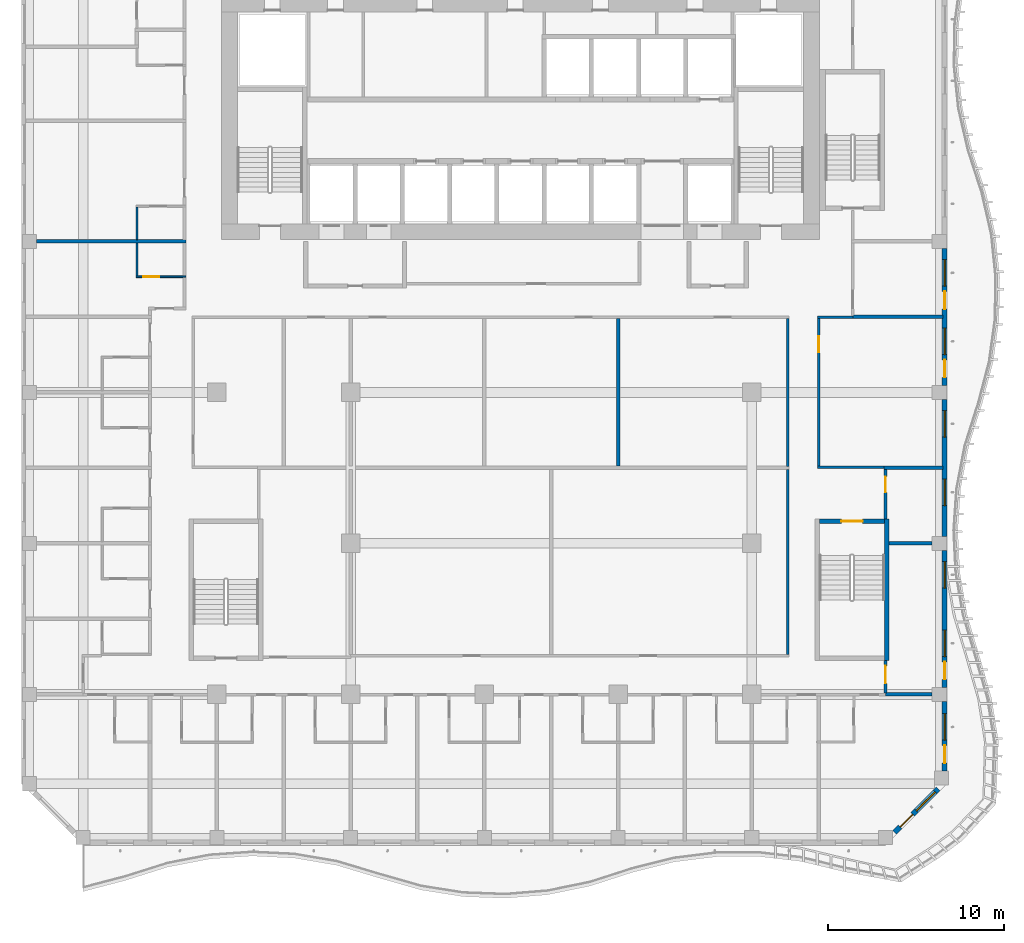
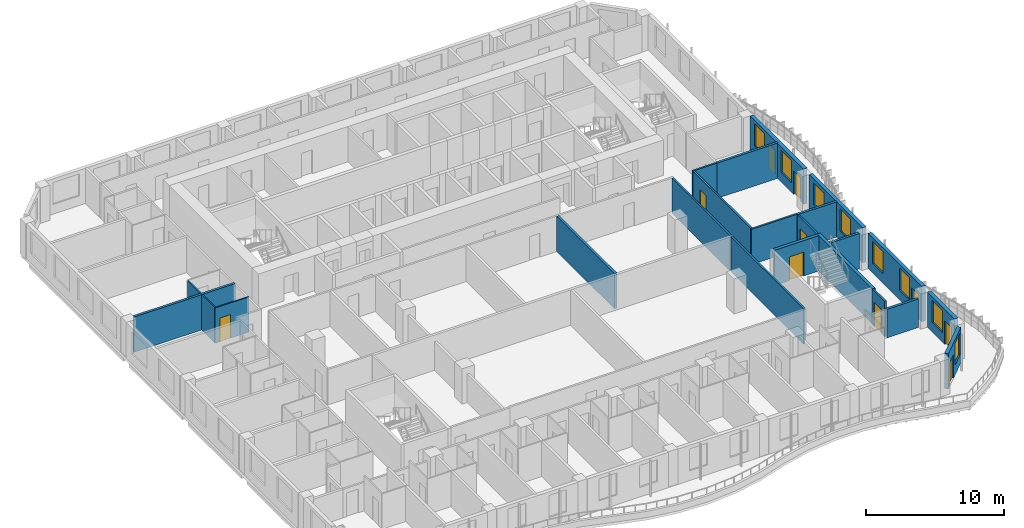
# One storey, part 6 of 24: 23 walls, 10 doors, 8 windows, 18 openings.
"""IFC4 building model written with IfcOpenShell, lengths in metres."""

from ifc_helpers import new_model, si_unit, direction, frame, frame_2d, origin, place, context, subcontext, project, spatial, rectangle, extrude, source, transform, mapped, material, layer, layer_set, type_object, element, fill, save


model = new_model("IFC4")

# Units and contexts
model_context = context("Model", 3, precision=1e-05, world=origin(), true_north=direction((0.0, 1.0)))
body_context = subcontext(model_context, "Body", "Model", "MODEL_VIEW")
ifc_project = project(units=[si_unit("LENGTHUNIT", "METRE"), si_unit("AREAUNIT", "SQUARE_METRE"), si_unit("VOLUMEUNIT", "CUBIC_METRE"), si_unit("PLANEANGLEUNIT", "RADIAN"), si_unit("MASSUNIT", "GRAM", prefix="KILO")], contexts=[model_context])

# Site, building, storey
site_placement = place(None, origin())
site = spatial("IfcSite", under=ifc_project, at=site_placement, CompositionType="ELEMENT")
building_placement = place(site_placement, origin())
building = spatial("IfcBuilding", under=site, at=building_placement, Name="Kilnfold Tower and Market Hall", CompositionType="ELEMENT")
storey_placement = place(building_placement, frame((0.0, 0.0, 175.300048828125)))
storey = spatial("IfcBuildingStorey", under=building, at=storey_placement, Name="L41", CompositionType="ELEMENT", Elevation=175.300048828125)

# Wall
ifc_material_1 = material(Name="Gypsum board on steel studs", Category="steel")
ifc_layer_1 = layer(ifc_material_1, 0.14990234375)
ifc_layer_set_1 = layer_set([ifc_layer_1], Name="Gypsum board on steel studs")
wall_type_1 = type_object("IfcWallType", Name="WALL CORRIDOR 150", PredefinedType="PARTITIONING", material=ifc_layer_set_1)
wall_1_placement = place(storey_placement, frame((17.884033203125, 3.699951171875, 0.0), z_axis=(0.0, 0.0, 1.0), x_axis=(1.0, 0.0, 0.0)))
element("IfcWall", 1, at=wall_1_placement, inside=storey, type_object=wall_type_1, Name="Partition LY26.34", PredefinedType="PARTITIONING", context=body_context, shape_type="SweptSolid", body=[
    extrude(rectangle(XDim=2.015869140625, YDim=0.14990234375, at=frame_2d((1.0078125, 0.0))), origin(), (0.0, 0.0, 1.0), 3.119873046875),
])

# Wall, opening, door
wall_2_placement = place(storey_placement, frame((17.958984375, -4.72509765625, 0.0), z_axis=(0.0, 0.0, 1.0), x_axis=(0.0, 1.0, 0.0)))
wall_2 = element("IfcWall", 2, at=wall_2_placement, inside=storey, type_object=wall_type_1, Name="Partition LY26.35", PredefinedType="PARTITIONING", context=body_context, shape_type="SweptSolid", body=[
    extrude(rectangle(XDim=8.35009765625, YDim=0.14990234375, at=frame_2d((4.175048828125, 0.0))), origin(), (0.0, 0.0, 1.0), 3.119873046875),
])
opening_1_placement = place(wall_2_placement, frame((6.444091796875, 0.0, 0.0)))
opening_1 = element("IfcOpeningElement", 3, at=opening_1_placement, cuts=wall_2, Name="Opening D2", PredefinedType="OPENING", context=body_context, shape_type="SweptSolid", body=[
    extrude(rectangle(XDim=0.89990234375, YDim=2.10009765625, at=frame_2d((0.449951171875, 1.050048828125))), frame((0.0, 0.0849609375, 0.0), z_axis=(0.0, -1.0, 0.0), x_axis=(1.0, 0.0, 0.0)), (0.0, 0.0, 1.0), 0.169921875),
])
ifc_material_2 = material(Name="Timber veneer door leaf in steel frame", Category="steel")
door_type_1 = type_object("IfcDoorType", Name="DOOR ROOM 900 X2100", OperationType="NOTDEFINED", PredefinedType="DOOR", material=ifc_material_2)
door_1_placement = place(opening_1_placement, origin())
door_1 = element("IfcDoor", 4, at=door_1_placement, inside=storey, type_object=door_type_1, Name="Door D2", OperationType="SINGLE_SWING_LEFT", OverallHeight=2.10009765625, OverallWidth=0.89990234375, PredefinedType="DOOR", context=body_context, shape_type="SweptSolid", body=[
    extrude(rectangle(XDim=0.89990234375, YDim=2.10009765625, at=frame_2d((0.449951171875, 1.050048828125))), frame((0.0, 0.02490234375, 0.0), z_axis=(0.0, -1.0, 0.0), x_axis=(1.0, 0.0, 0.0)), (0.0, 0.0, 1.0), 0.050048828125),
])
fill(opening_1, door_1)

# Wall
wall_3_placement = place(storey_placement, frame((17.884033203125, -4.800048828125, 0.0), z_axis=(0.0, 0.0, 1.0), x_axis=(1.0, 0.0, 0.0)))
element("IfcWall", 5, at=wall_3_placement, inside=storey, type_object=wall_type_1, Name="Partition LY26.36", PredefinedType="PARTITIONING", context=body_context, shape_type="SweptSolid", body=[
    extrude(rectangle(XDim=3.79296875, YDim=0.14990234375, at=frame_2d((1.896484375, 0.0))), origin(), (0.0, 0.0, 1.0), 3.119873046875),
])

# Wall, opening, door
wall_4_placement = place(storey_placement, frame((21.75, -7.75, 0.0), z_axis=(0.0, 0.0, 1.0), x_axis=(0.0, 1.0, 0.0)))
wall_4 = element("IfcWall", 6, at=wall_4_placement, inside=storey, type_object=wall_type_1, Name="Partition LY26.37", PredefinedType="PARTITIONING", context=body_context, shape_type="SweptSolid", body=[
    extrude(rectangle(XDim=2.81689453125, YDim=0.14990234375, at=frame_2d((1.408447265625, 0.0))), origin(), (0.0, 0.0, 1.0), 3.119873046875),
])
opening_2_placement = place(wall_4_placement, frame((1.514892578125, 0.0, 0.0)))
opening_2 = element("IfcOpeningElement", 7, at=opening_2_placement, cuts=wall_4, Name="Opening D2", PredefinedType="OPENING", context=body_context, shape_type="SweptSolid", body=[
    extrude(rectangle(XDim=0.89990234375, YDim=2.10009765625, at=frame_2d((0.449951171875, 1.050048828125))), frame((0.0, 0.0849609375, 0.0), z_axis=(0.0, -1.0, 0.0), x_axis=(1.0, 0.0, 0.0)), (0.0, 0.0, 1.0), 0.169921875),
])
door_2_placement = place(opening_2_placement, origin())
door_2 = element("IfcDoor", 8, at=door_2_placement, inside=storey, type_object=door_type_1, Name="Door D2", OperationType="SINGLE_SWING_RIGHT", OverallHeight=2.10009765625, OverallWidth=0.89990234375, PredefinedType="DOOR", context=body_context, shape_type="SweptSolid", body=[
    extrude(rectangle(XDim=0.89990234375, YDim=2.10009765625, at=frame_2d((0.449951171875, 1.050048828125))), frame((0.0, 0.02490234375, 0.0), z_axis=(0.0, -1.0, 0.0), x_axis=(1.0, 0.0, 0.0)), (0.0, 0.0, 1.0), 0.050048828125),
])
fill(opening_2, door_2)

wall_5_placement = place(storey_placement, frame((21.75, -17.597900390625, 0.0), z_axis=(0.0, 0.0, 1.0), x_axis=(0.0, 1.0, 0.0)))
wall_5 = element("IfcWall", 9, at=wall_5_placement, inside=storey, type_object=wall_type_1, Name="Partition LY26.38", PredefinedType="PARTITIONING", context=body_context, shape_type="SweptSolid", body=[
    extrude(rectangle(XDim=1.847900390625, YDim=0.14990234375, at=frame_2d((0.923828125, 0.0))), origin(), (0.0, 0.0, 1.0), 3.119873046875),
])
opening_3_placement = place(wall_5_placement, frame((0.535888671875, 0.0, 0.0)))
opening_3 = element("IfcOpeningElement", 10, at=opening_3_placement, cuts=wall_5, Name="Opening D4", PredefinedType="OPENING", context=body_context, shape_type="SweptSolid", body=[
    extrude(rectangle(XDim=1.0, YDim=2.10009765625, at=frame_2d((0.5, 1.050048828125))), frame((0.0, 0.0849609375, 0.0), z_axis=(0.0, -1.0, 0.0), x_axis=(1.0, 0.0, 0.0)), (0.0, 0.0, 1.0), 0.169921875),
])
ifc_material_3 = material(Name="Timber veneer door leaf in steel frame", Category="steel")
door_type_2 = type_object("IfcDoorType", Name="DOOR SERVICE 1000 X2100", OperationType="NOTDEFINED", PredefinedType="DOOR", material=ifc_material_3)
door_3_placement = place(opening_3_placement, origin())
door_3 = element("IfcDoor", 11, at=door_3_placement, inside=storey, type_object=door_type_2, Name="Door D4", OperationType="SINGLE_SWING_RIGHT", OverallHeight=2.10009765625, OverallWidth=1.0, PredefinedType="DOOR", context=body_context, shape_type="SweptSolid", body=[
    extrude(rectangle(XDim=1.0, YDim=2.10009765625, at=frame_2d((0.5, 1.050048828125))), frame((0.0, 0.02490234375, 0.0), z_axis=(0.0, -1.0, 0.0), x_axis=(1.0, 0.0, 0.0)), (0.0, 0.0, 1.0), 0.050048828125),
])
fill(opening_3, door_3)

# Walls
wall_6_placement = place(storey_placement, frame((16.199951171875, -4.7529296875, 0.0), z_axis=(0.0, 0.0, 1.0), x_axis=(0.0, 1.0, 0.0)))
element("IfcWall", 12, at=wall_6_placement, inside=storey, type_object=wall_type_1, Name="Partition LY26.45", PredefinedType="PARTITIONING", context=body_context, shape_type="SweptSolid", body=[
    extrude(rectangle(XDim=8.3779296875, YDim=0.14990234375, at=frame_2d((4.18896484375, 0.0))), origin(), (0.0, 0.0, 1.0), 3.119873046875),
])
wall_7_placement = place(storey_placement, frame((16.199951171875, -15.425048828125, 0.0), z_axis=(0.0, 0.0, 1.0), x_axis=(0.0, 1.0, 0.0)))
element("IfcWall", 13, at=wall_7_placement, inside=storey, type_object=wall_type_1, Name="Partition LY26.49", PredefinedType="PARTITIONING", context=body_context, shape_type="SweptSolid", body=[
    extrude(rectangle(XDim=10.491943359375, YDim=0.14990234375, at=frame_2d((5.24609375, 0.0))), origin(), (0.0, 0.0, 1.0), 3.119873046875),
])

# Wall, opening, door
ifc_material_4 = material(Name="Gypsum board on steel studs", Category="steel")
ifc_layer_2 = layer(ifc_material_4, 0.10009765625)
ifc_layer_set_2 = layer_set([ifc_layer_2], Name="Gypsum board on steel studs")
wall_type_2 = type_object("IfcWallType", Name="WALL PARTITION 100", PredefinedType="PARTITIONING", material=ifc_layer_set_2)
wall_8_placement = place(storey_placement, frame((-17.927001953125, 6.0, 0.0), z_axis=(0.0, 0.0, 1.0), x_axis=(-1.0, 0.0, 0.0)))
wall_8 = element("IfcWall", 14, at=wall_8_placement, inside=storey, type_object=wall_type_2, Name="Partition LY26.104", PredefinedType="PARTITIONING", context=body_context, shape_type="SweptSolid", body=[
    extrude(rectangle(XDim=2.824951171875, YDim=0.10009765625, at=frame_2d((1.41259765625, 0.0))), origin(), (0.0, 0.0, 1.0), 3.119873046875),
])
opening_4_placement = place(wall_8_placement, frame((1.52197265625, 0.0, 0.0)))
opening_4 = element("IfcOpeningElement", 15, at=opening_4_placement, cuts=wall_8, Name="Opening D3", PredefinedType="OPENING", context=body_context, shape_type="SweptSolid", body=[
    extrude(rectangle(XDim=0.89990234375, YDim=2.10009765625, at=frame_2d((0.449951171875, 1.050048828125))), frame((0.0, 0.06005859375, 0.0), z_axis=(0.0, -1.0, 0.0), x_axis=(1.0, 0.0, 0.0)), (0.0, 0.0, 1.0), 0.1201171875),
])
ifc_material_5 = material(Name="Timber veneer door leaf in steel frame", Category="steel")
door_type_3 = type_object("IfcDoorType", Name="DOOR WC 900 X2100", OperationType="NOTDEFINED", PredefinedType="DOOR", material=ifc_material_5)
door_4_placement = place(opening_4_placement, origin())
door_4 = element("IfcDoor", 16, at=door_4_placement, inside=storey, type_object=door_type_3, Name="Door D3", OperationType="SINGLE_SWING_RIGHT", OverallHeight=2.10009765625, OverallWidth=0.89990234375, PredefinedType="DOOR", context=body_context, shape_type="SweptSolid", body=[
    extrude(rectangle(XDim=0.89990234375, YDim=2.10009765625, at=frame_2d((0.449951171875, 1.050048828125))), frame((0.0, 0.02490234375, 0.0), z_axis=(0.0, -1.0, 0.0), x_axis=(1.0, 0.0, 0.0)), (0.0, 0.0, 1.0), 0.050048828125),
])
fill(opening_4, door_4)

# Walls
for number, where, z_axis, x_axis, name in (
    (17, (-20.701904296875, 6.050048828125, 0.0), (0.0, 0.0, 1.0), (0.0, 1.0, 0.0), "Partition LY26.105"),
    (18, (-20.701904296875, 8.10009765625, 0.0), (0.0, 0.0, 1.0), (0.0, 1.0, 0.0), "Partition LY26.108"),
):
    element("IfcWall", number, at=place(storey_placement, frame(where, z_axis=z_axis, x_axis=x_axis)), inside=storey, type_object=wall_type_2, Name=name, PredefinedType="PARTITIONING", context=body_context, shape_type="SweptSolid", body=[
        extrude(rectangle(XDim=1.849853515625, YDim=0.10009765625, at=frame_2d((0.9248046875, 0.0))), origin(), (0.0, 0.0, 1.0), 3.119873046875),
    ])
ifc_material_6 = material(Name="Gypsum board on steel studs", Category="steel")
ifc_layer_3 = layer(ifc_material_6, 0.199951171875)
ifc_layer_set_3 = layer_set([ifc_layer_3], Name="Gypsum board on steel studs")
wall_type_3 = type_object("IfcWallType", Name="WALL PARTY 200", PredefinedType="PARTITIONING", material=ifc_layer_set_3)
wall_9_placement = place(storey_placement, frame((21.751953125, -17.68798828125, 0.0), z_axis=(0.0, 0.0, 1.0), x_axis=(1.0, 0.0, 0.0)))
element("IfcWall", 19, at=wall_9_placement, inside=storey, type_object=wall_type_3, Name="Partition LY26.88", PredefinedType="PARTITIONING", context=body_context, shape_type="SweptSolid", body=[
    extrude(rectangle(XDim=2.64794921875, YDim=0.199951171875, at=frame_2d((1.323974609375, 0.0))), origin(), (0.0, 0.0, 1.0), 2.52001953125),
])
wall_10_placement = place(storey_placement, frame((-26.39990234375, 8.0, 0.0), z_axis=(0.0, 0.0, 1.0), x_axis=(1.0, 0.0, 0.0)))
element("IfcWall", 20, at=wall_10_placement, inside=storey, type_object=wall_type_3, Name="Partition LY26.106", PredefinedType="PARTITIONING", context=body_context, shape_type="SweptSolid", body=[
    extrude(rectangle(XDim=8.472900390625, YDim=0.199951171875, at=frame_2d((4.236328125, 0.0))), origin(), (0.0, 0.0, 1.0), 3.119873046875),
])
wall_11_placement = place(storey_placement, frame((19.902099609375, 3.718994140625, 0.0), z_axis=(0.0, 0.0, 1.0), x_axis=(1.0, 0.0, 0.0)))
element("IfcWall", 21, at=wall_11_placement, inside=storey, type_object=wall_type_3, Name="Partition LY26.119", PredefinedType="PARTITIONING", context=body_context, shape_type="SweptSolid", body=[
    extrude(rectangle(XDim=5.097900390625, YDim=0.199951171875, at=frame_2d((2.548828125, 0.0))), origin(), (0.0, 0.0, 1.0), 3.119873046875),
])
wall_12_placement = place(storey_placement, frame((21.677001953125, -4.843017578125, 0.0), z_axis=(0.0, 0.0, 1.0), x_axis=(1.0, 0.0, 0.0)))
element("IfcWall", 22, at=wall_12_placement, inside=storey, type_object=wall_type_3, Name="Partition LY26.122", PredefinedType="PARTITIONING", context=body_context, shape_type="SweptSolid", body=[
    extrude(rectangle(XDim=3.322998046875, YDim=0.199951171875, at=frame_2d((1.66162109375, 0.0))), origin(), (0.0, 0.0, 1.0), 3.119873046875),
])
wall_13_placement = place(storey_placement, frame((21.949951171875, -9.125, 0.0), z_axis=(0.0, 0.0, 1.0), x_axis=(1.0, 0.0, 0.0)))
element("IfcWall", 23, at=wall_13_placement, inside=storey, type_object=wall_type_3, Name="Partition LY26.123", PredefinedType="PARTITIONING", context=body_context, shape_type="SweptSolid", body=[
    extrude(rectangle(XDim=2.449951171875, YDim=0.199951171875, at=frame_2d((1.22509765625, 0.0))), origin(), (0.0, 0.0, 1.0), 3.119873046875),
])
wall_14_placement = place(storey_placement, frame((6.5830078125, -4.742919921875, 0.0), z_axis=(0.0, 0.0, 1.0), x_axis=(0.0, 1.0, 0.0)))
element("IfcWall", 24, at=wall_14_placement, inside=storey, type_object=wall_type_3, Name="Partition LY26.139", PredefinedType="PARTITIONING", context=body_context, shape_type="SweptSolid", body=[
    extrude(rectangle(XDim=8.365966796875, YDim=0.199951171875, at=frame_2d((4.18310546875, 0.0))), origin(), (0.0, 0.0, 1.0), 3.119873046875),
])

# Wall, opening, door
ifc_material_7 = material(Name="Concrete C70", Category="concrete")
ifc_layer_4 = layer(ifc_material_7, 0.25)
ifc_layer_set_4 = layer_set([ifc_layer_4], Name="Concrete C70")
wall_type_4 = type_object("IfcWallType", Name="CORE WALL 250 C70", PredefinedType="SHEAR", material=ifc_layer_set_4)
shared_shape_1 = source(origin(), body_context, "Body", "SweptSolid", [
    extrude(rectangle(XDim=3.699951171875, YDim=0.25, at=frame_2d((1.85009765625, 0.0))), origin(), (0.0, 0.0, 1.0), 3.119873046875),
])
wall_15_placement = place(storey_placement, frame((18.0, -7.875, 0.0), z_axis=(0.0, 0.0, 1.0), x_axis=(1.0, 0.0, 0.0)))
wall_15 = element("IfcWall", 25, at=wall_15_placement, inside=storey, type_object=wall_type_4, Name="Stair enclosure ST4", PredefinedType="SHEAR", context=body_context, shape_type="MappedRepresentation", body=[
    mapped(shared_shape_1, transform((0.0, 0.0, 0.0))),
])
opening_5_placement = place(wall_15_placement, frame((1.25, 0.0, 0.0)))
opening_5 = element("IfcOpeningElement", 26, at=opening_5_placement, cuts=wall_15, Name="Opening SD1", PredefinedType="OPENING", context=body_context, shape_type="SweptSolid", body=[
    extrude(rectangle(XDim=1.199951171875, YDim=2.10009765625, at=frame_2d((0.60009765625, 1.050048828125))), frame((0.0, 0.135009765625, 0.0), z_axis=(0.0, -1.0, 0.0), x_axis=(1.0, 0.0, 0.0)), (0.0, 0.0, 1.0), 0.27001953125),
])
ifc_material_8 = material(Name="Steel door set with fire-resisting leaf", Category="steel")
door_type_4 = type_object("IfcDoorType", Name="STAIR FLOOR DOOR 1200X2100", OperationType="NOTDEFINED", PredefinedType="DOOR", material=ifc_material_8)
door_5_placement = place(opening_5_placement, origin())
door_5 = element("IfcDoor", 27, at=door_5_placement, inside=storey, type_object=door_type_4, Name="Exit stair ST4 door", OperationType="DOUBLE_DOOR_SINGLE_SWING", OverallHeight=2.10009765625, OverallWidth=1.199951171875, PredefinedType="DOOR", context=body_context, shape_type="SweptSolid", body=[
    extrude(rectangle(XDim=1.199951171875, YDim=2.10009765625, at=frame_2d((0.60009765625, 1.050048828125))), frame((0.0, 0.02490234375, 0.0), z_axis=(0.0, -1.0, 0.0), x_axis=(1.0, 0.0, 0.0)), (0.0, 0.0, 1.0), 0.050048828125),
])
fill(opening_5, door_5)

# Wall
shared_shape_2 = source(origin(), body_context, "Body", "SweptSolid", [
    extrude(rectangle(XDim=8.0, YDim=0.25, at=frame_2d((4.0, 0.0))), origin(), (0.0, 0.0, 1.0), 3.119873046875),
])
wall_16_placement = place(storey_placement, frame((21.824951171875, -15.75, 0.0), z_axis=(0.0, 0.0, 1.0), x_axis=(0.0, 1.0, 0.0)))
element("IfcWall", 28, at=wall_16_placement, inside=storey, type_object=wall_type_4, Name="Stair enclosure ST4", PredefinedType="SHEAR", context=body_context, shape_type="MappedRepresentation", body=[
    mapped(shared_shape_2, transform((0.0, 0.0, 0.0))),
])

# Wall, openings, door, window
ifc_material_9 = material(Name="Precast concrete C50/60", Category="concrete")
ifc_layer_5 = layer(ifc_material_9, 0.300048828125)
ifc_layer_set_5 = layer_set([ifc_layer_5], Name="Precast concrete C50/60")
wall_type_5 = type_object("IfcWallType", Name="PRECAST WALL 300", PredefinedType="SOLIDWALL", material=ifc_layer_set_5)
shared_shape_3 = source(origin(), body_context, "Body", "SweptSolid", [
    extrude(rectangle(XDim=3.500244140625, YDim=0.300048828125, at=frame_2d((1.75, 0.0))), origin(), (0.0, 0.0, 1.0), 3.119873046875),
])
wall_17_placement = place(storey_placement, frame((22.268798828125, -25.518798828125, 0.0), z_axis=(0.0, 0.0, 1.0), x_axis=(0.707141656123, 0.70707190453, 0.0)))
wall_17 = element("IfcWall", 29, at=wall_17_placement, inside=storey, type_object=wall_type_5, Name="External wall L41 SE", PredefinedType="SOLIDWALL", context=body_context, shape_type="MappedRepresentation", body=[
    mapped(shared_shape_3, transform((0.0, 0.0, 0.0))),
])
opening_6_placement = place(wall_17_placement, frame((1.75, 0.0, 0.85009765625)))
opening_6 = element("IfcOpeningElement", 30, at=opening_6_placement, cuts=wall_17, Name="Opening W4", PredefinedType="OPENING", context=body_context, shape_type="SweptSolid", body=[
    extrude(rectangle(XDim=1.5, YDim=1.949951171875, at=frame_2d((0.75, 0.97509765625))), frame((0.0, 0.16015625, 0.0), z_axis=(0.0, -1.0, 0.0), x_axis=(1.0, 0.0, 0.0)), (0.0, 0.0, 1.0), 0.320068359375),
])
opening_7_placement = place(wall_17_placement, frame((0.449951171875, 0.0, 0.0)))
opening_7 = element("IfcOpeningElement", 31, at=opening_7_placement, cuts=wall_17, Name="Opening BD1", PredefinedType="OPENING", context=body_context, shape_type="SweptSolid", body=[
    extrude(rectangle(XDim=1.0, YDim=2.10009765625, at=frame_2d((0.5, 1.050048828125))), frame((0.0, 0.16015625, 0.0), z_axis=(0.0, -1.0, 0.0), x_axis=(1.0, 0.0, 0.0)), (0.0, 0.0, 1.0), 0.320068359375),
])
ifc_material_10 = material(Name="Aluminium frame and double glazing", Category="aluminium")
door_type_5 = type_object("IfcDoorType", Name="BALCONY DOOR 1000X2100", OperationType="NOTDEFINED", PredefinedType="DOOR", material=ifc_material_10)
door_6_placement = place(opening_7_placement, origin())
door_6 = element("IfcDoor", 32, at=door_6_placement, inside=storey, type_object=door_type_5, Name="Balcony door BD1 L41 SE-1", OperationType="SINGLE_SWING_LEFT", OverallHeight=2.10009765625, OverallWidth=1.0, PredefinedType="DOOR", context=body_context, shape_type="SweptSolid", body=[
    extrude(rectangle(XDim=1.0, YDim=2.10009765625, at=frame_2d((0.5, 1.050048828125))), frame((0.0, 0.02490234375, 0.0), z_axis=(0.0, -1.0, 0.0), x_axis=(1.0, 0.0, 0.0)), (0.0, 0.0, 1.0), 0.050048828125),
])
fill(opening_7, door_6)
ifc_material_11 = material(Name="Aluminium frame and double glazing", Category="aluminium")
window_type = type_object("IfcWindowType", Name="WINDOW W4 1500X1950", PartitioningType="SINGLE_PANEL", PredefinedType="WINDOW", material=ifc_material_11)
window_1_placement = place(opening_6_placement, origin())
window_1 = element("IfcWindow", 33, at=window_1_placement, inside=storey, type_object=window_type, Name="Window W4 L41 SE-1", OverallHeight=1.949951171875, OverallWidth=1.5, PartitioningType="SINGLE_PANEL", PredefinedType="WINDOW", context=body_context, shape_type="SweptSolid", body=[
    extrude(rectangle(XDim=1.5, YDim=1.949951171875, at=frame_2d((0.75, 0.97509765625))), frame((0.0, 0.030029296875, 0.0), z_axis=(0.0, -1.0, 0.0), x_axis=(1.0, 0.0, 0.0)), (0.0, 0.0, 1.0), 0.06005859375),
])
fill(opening_6, window_1)

shared_shape_4 = source(origin(), body_context, "Body", "SweptSolid", [
    extrude(rectangle(XDim=3.9443359375, YDim=0.300048828125, at=frame_2d((1.97216796875, 0.0))), origin(), (0.0, 0.0, 1.0), 3.119873046875),
])
wall_18_placement = place(storey_placement, frame((25.10009765625, -22.03173828125, 0.0), z_axis=(0.0, 0.0, 1.0), x_axis=(0.0, 1.0, 0.0)))
wall_18 = element("IfcWall", 34, at=wall_18_placement, inside=storey, type_object=wall_type_5, Name="External wall L41 E", PredefinedType="SOLIDWALL", context=body_context, shape_type="MappedRepresentation", body=[
    mapped(shared_shape_4, transform((0.0, 0.0, 0.0))),
])
opening_8_placement = place(wall_18_placement, frame((1.75, 0.0, 0.85009765625)))
opening_8 = element("IfcOpeningElement", 35, at=opening_8_placement, cuts=wall_18, Name="Opening W4", PredefinedType="OPENING", context=body_context, shape_type="SweptSolid", body=[
    extrude(rectangle(XDim=1.5, YDim=1.949951171875, at=frame_2d((0.75, 0.97509765625))), frame((0.0, 0.16015625, 0.0), z_axis=(0.0, -1.0, 0.0), x_axis=(1.0, 0.0, 0.0)), (0.0, 0.0, 1.0), 0.320068359375),
])
opening_9_placement = place(wall_18_placement, frame((0.449951171875, 0.0, 0.0)))
opening_9 = element("IfcOpeningElement", 36, at=opening_9_placement, cuts=wall_18, Name="Opening BD1", PredefinedType="OPENING", context=body_context, shape_type="SweptSolid", body=[
    extrude(rectangle(XDim=1.0, YDim=2.10009765625, at=frame_2d((0.5, 1.050048828125))), frame((0.0, 0.16015625, 0.0), z_axis=(0.0, -1.0, 0.0), x_axis=(1.0, 0.0, 0.0)), (0.0, 0.0, 1.0), 0.320068359375),
])
door_7_placement = place(opening_9_placement, origin())
door_7 = element("IfcDoor", 37, at=door_7_placement, inside=storey, type_object=door_type_5, Name="Balcony door BD1 L41 E-1", OperationType="SINGLE_SWING_LEFT", OverallHeight=2.10009765625, OverallWidth=1.0, PredefinedType="DOOR", context=body_context, shape_type="SweptSolid", body=[
    extrude(rectangle(XDim=1.0, YDim=2.10009765625, at=frame_2d((0.5, 1.050048828125))), frame((0.0, 0.02490234375, 0.0), z_axis=(0.0, -1.0, 0.0), x_axis=(1.0, 0.0, 0.0)), (0.0, 0.0, 1.0), 0.050048828125),
])
fill(opening_9, door_7)
window_2_placement = place(opening_8_placement, origin())
window_2 = element("IfcWindow", 38, at=window_2_placement, inside=storey, type_object=window_type, Name="Window W4 L41 E-1", OverallHeight=1.949951171875, OverallWidth=1.5, PartitioningType="SINGLE_PANEL", PredefinedType="WINDOW", context=body_context, shape_type="SweptSolid", body=[
    extrude(rectangle(XDim=1.5, YDim=1.949951171875, at=frame_2d((0.75, 0.97509765625))), frame((0.0, 0.030029296875, 0.0), z_axis=(0.0, -1.0, 0.0), x_axis=(1.0, 0.0, 0.0)), (0.0, 0.0, 1.0), 0.06005859375),
])
fill(opening_8, window_2)

# Wall, openings, door, windows
shared_shape_5 = source(origin(), body_context, "Body", "SweptSolid", [
    extrude(rectangle(XDim=7.7626953125, YDim=0.300048828125, at=frame_2d((3.88134765625, 0.0))), origin(), (0.0, 0.0, 1.0), 3.119873046875),
])
wall_19_placement = place(storey_placement, frame((25.10009765625, -17.28759765625, 0.0), z_axis=(0.0, 0.0, 1.0), x_axis=(0.0, 1.0, 0.0)))
wall_19 = element("IfcWall", 39, at=wall_19_placement, inside=storey, type_object=wall_type_5, Name="External wall L41 E", PredefinedType="SOLIDWALL", context=body_context, shape_type="MappedRepresentation", body=[
    mapped(shared_shape_5, transform((0.0, 0.0, 0.0))),
])
opening_10_placement = place(wall_19_placement, frame((1.75, 0.0, 0.85009765625)))
opening_10 = element("IfcOpeningElement", 40, at=opening_10_placement, cuts=wall_19, Name="Opening W4", PredefinedType="OPENING", context=body_context, shape_type="SweptSolid", body=[
    extrude(rectangle(XDim=1.5, YDim=1.949951171875, at=frame_2d((0.75, 0.97509765625))), frame((0.0, 0.16015625, 0.0), z_axis=(0.0, -1.0, 0.0), x_axis=(1.0, 0.0, 0.0)), (0.0, 0.0, 1.0), 0.320068359375),
])
opening_11_placement = place(wall_19_placement, frame((0.449951171875, 0.0, 0.0)))
opening_11 = element("IfcOpeningElement", 41, at=opening_11_placement, cuts=wall_19, Name="Opening BD1", PredefinedType="OPENING", context=body_context, shape_type="SweptSolid", body=[
    extrude(rectangle(XDim=1.0, YDim=2.10009765625, at=frame_2d((0.5, 1.050048828125))), frame((0.0, 0.16015625, 0.0), z_axis=(0.0, -1.0, 0.0), x_axis=(1.0, 0.0, 0.0)), (0.0, 0.0, 1.0), 0.320068359375),
])
opening_12_placement = place(wall_19_placement, frame((5.63134765625, 0.0, 0.85009765625)))
opening_12 = element("IfcOpeningElement", 42, at=opening_12_placement, cuts=wall_19, Name="Opening W4", PredefinedType="OPENING", context=body_context, shape_type="SweptSolid", body=[
    extrude(rectangle(XDim=1.5, YDim=1.949951171875, at=frame_2d((0.75, 0.97509765625))), frame((0.0, 0.16015625, 0.0), z_axis=(0.0, -1.0, 0.0), x_axis=(1.0, 0.0, 0.0)), (0.0, 0.0, 1.0), 0.320068359375),
])
door_8_placement = place(opening_11_placement, origin())
door_8 = element("IfcDoor", 43, at=door_8_placement, inside=storey, type_object=door_type_5, Name="Balcony door BD1 L41 E-1", OperationType="SINGLE_SWING_LEFT", OverallHeight=2.10009765625, OverallWidth=1.0, PredefinedType="DOOR", context=body_context, shape_type="SweptSolid", body=[
    extrude(rectangle(XDim=1.0, YDim=2.10009765625, at=frame_2d((0.5, 1.050048828125))), frame((0.0, 0.02490234375, 0.0), z_axis=(0.0, -1.0, 0.0), x_axis=(1.0, 0.0, 0.0)), (0.0, 0.0, 1.0), 0.050048828125),
])
fill(opening_11, door_8)
window_3_placement = place(opening_10_placement, origin())
window_3 = element("IfcWindow", 44, at=window_3_placement, inside=storey, type_object=window_type, Name="Window W4 L41 E-1", OverallHeight=1.949951171875, OverallWidth=1.5, PartitioningType="SINGLE_PANEL", PredefinedType="WINDOW", context=body_context, shape_type="SweptSolid", body=[
    extrude(rectangle(XDim=1.5, YDim=1.949951171875, at=frame_2d((0.75, 0.97509765625))), frame((0.0, 0.030029296875, 0.0), z_axis=(0.0, -1.0, 0.0), x_axis=(1.0, 0.0, 0.0)), (0.0, 0.0, 1.0), 0.06005859375),
])
fill(opening_10, window_3)
window_4_placement = place(opening_12_placement, origin())
window_4 = element("IfcWindow", 45, at=window_4_placement, inside=storey, type_object=window_type, Name="Window W4 L41 E-2", OverallHeight=1.949951171875, OverallWidth=1.5, PartitioningType="SINGLE_PANEL", PredefinedType="WINDOW", context=body_context, shape_type="SweptSolid", body=[
    extrude(rectangle(XDim=1.5, YDim=1.949951171875, at=frame_2d((0.75, 0.97509765625))), frame((0.0, 0.030029296875, 0.0), z_axis=(0.0, -1.0, 0.0), x_axis=(1.0, 0.0, 0.0)), (0.0, 0.0, 1.0), 0.06005859375),
])
fill(opening_12, window_4)

# Wall, openings, windows
wall_20_placement = place(storey_placement, frame((25.10009765625, -8.72509765625, 0.0), z_axis=(0.0, 0.0, 1.0), x_axis=(0.0, 1.0, 0.0)))
wall_20 = element("IfcWall", 46, at=wall_20_placement, inside=storey, type_object=wall_type_5, Name="External wall L41 E", PredefinedType="SOLIDWALL", context=body_context, shape_type="MappedRepresentation", body=[
    mapped(shared_shape_5, transform((0.0, 0.0, 0.0))),
])
opening_13_placement = place(wall_20_placement, frame((1.75, 0.0, 0.85009765625)))
opening_13 = element("IfcOpeningElement", 47, at=opening_13_placement, cuts=wall_20, Name="Opening W4", PredefinedType="OPENING", context=body_context, shape_type="SweptSolid", body=[
    extrude(rectangle(XDim=1.5, YDim=1.949951171875, at=frame_2d((0.75, 0.97509765625))), frame((0.0, 0.16015625, 0.0), z_axis=(0.0, -1.0, 0.0), x_axis=(1.0, 0.0, 0.0)), (0.0, 0.0, 1.0), 0.320068359375),
])
opening_14_placement = place(wall_20_placement, frame((5.631103515625, 0.0, 0.85009765625)))
opening_14 = element("IfcOpeningElement", 48, at=opening_14_placement, cuts=wall_20, Name="Opening W4", PredefinedType="OPENING", context=body_context, shape_type="SweptSolid", body=[
    extrude(rectangle(XDim=1.5, YDim=1.949951171875, at=frame_2d((0.75, 0.97509765625))), frame((0.0, 0.16015625, 0.0), z_axis=(0.0, -1.0, 0.0), x_axis=(1.0, 0.0, 0.0)), (0.0, 0.0, 1.0), 0.320068359375),
])
window_5_placement = place(opening_13_placement, origin())
window_5 = element("IfcWindow", 49, at=window_5_placement, inside=storey, type_object=window_type, Name="Window W4 L41 E-1", OverallHeight=1.949951171875, OverallWidth=1.5, PartitioningType="SINGLE_PANEL", PredefinedType="WINDOW", context=body_context, shape_type="SweptSolid", body=[
    extrude(rectangle(XDim=1.5, YDim=1.949951171875, at=frame_2d((0.75, 0.97509765625))), frame((0.0, 0.030029296875, 0.0), z_axis=(0.0, -1.0, 0.0), x_axis=(1.0, 0.0, 0.0)), (0.0, 0.0, 1.0), 0.06005859375),
])
fill(opening_13, window_5)
window_6_placement = place(opening_14_placement, origin())
window_6 = element("IfcWindow", 50, at=window_6_placement, inside=storey, type_object=window_type, Name="Window W4 L41 E-2", OverallHeight=1.949951171875, OverallWidth=1.5, PartitioningType="SINGLE_PANEL", PredefinedType="WINDOW", context=body_context, shape_type="SweptSolid", body=[
    extrude(rectangle(XDim=1.5, YDim=1.949951171875, at=frame_2d((0.75, 0.97509765625))), frame((0.0, 0.030029296875, 0.0), z_axis=(0.0, -1.0, 0.0), x_axis=(1.0, 0.0, 0.0)), (0.0, 0.0, 1.0), 0.06005859375),
])
fill(opening_14, window_6)

# Wall, openings, doors, windows
wall_21_placement = place(storey_placement, frame((25.10009765625, -0.16259765625, 0.0), z_axis=(0.0, 0.0, 1.0), x_axis=(0.0, 1.0, 0.0)))
wall_21 = element("IfcWall", 51, at=wall_21_placement, inside=storey, type_object=wall_type_5, Name="External wall L41 E", PredefinedType="SOLIDWALL", context=body_context, shape_type="MappedRepresentation", body=[
    mapped(shared_shape_5, transform((0.0, 0.0, 0.0))),
])
opening_15_placement = place(wall_21_placement, frame((1.75, 0.0, 0.85009765625)))
opening_15 = element("IfcOpeningElement", 52, at=opening_15_placement, cuts=wall_21, Name="Opening W4", PredefinedType="OPENING", context=body_context, shape_type="SweptSolid", body=[
    extrude(rectangle(XDim=1.5, YDim=1.949951171875, at=frame_2d((0.75, 0.97509765625))), frame((0.0, 0.16015625, 0.0), z_axis=(0.0, -1.0, 0.0), x_axis=(1.0, 0.0, 0.0)), (0.0, 0.0, 1.0), 0.320068359375),
])
opening_16_placement = place(wall_21_placement, frame((0.449951171875, 0.0, 0.0)))
opening_16 = element("IfcOpeningElement", 53, at=opening_16_placement, cuts=wall_21, Name="Opening BD1", PredefinedType="OPENING", context=body_context, shape_type="SweptSolid", body=[
    extrude(rectangle(XDim=1.0, YDim=2.10009765625, at=frame_2d((0.5, 1.050048828125))), frame((0.0, 0.16015625, 0.0), z_axis=(0.0, -1.0, 0.0), x_axis=(1.0, 0.0, 0.0)), (0.0, 0.0, 1.0), 0.320068359375),
])
opening_17_placement = place(wall_21_placement, frame((5.63134765625, 0.0, 0.85009765625)))
opening_17 = element("IfcOpeningElement", 54, at=opening_17_placement, cuts=wall_21, Name="Opening W4", PredefinedType="OPENING", context=body_context, shape_type="SweptSolid", body=[
    extrude(rectangle(XDim=1.5, YDim=1.949951171875, at=frame_2d((0.75, 0.97509765625))), frame((0.0, 0.16015625, 0.0), z_axis=(0.0, -1.0, 0.0), x_axis=(1.0, 0.0, 0.0)), (0.0, 0.0, 1.0), 0.320068359375),
])
opening_18_placement = place(wall_21_placement, frame((4.331298828125, 0.0, 0.0)))
opening_18 = element("IfcOpeningElement", 55, at=opening_18_placement, cuts=wall_21, Name="Opening BD1", PredefinedType="OPENING", context=body_context, shape_type="SweptSolid", body=[
    extrude(rectangle(XDim=1.0, YDim=2.10009765625, at=frame_2d((0.5, 1.050048828125))), frame((0.0, 0.16015625, 0.0), z_axis=(0.0, -1.0, 0.0), x_axis=(1.0, 0.0, 0.0)), (0.0, 0.0, 1.0), 0.320068359375),
])
door_9_placement = place(opening_16_placement, origin())
door_9 = element("IfcDoor", 56, at=door_9_placement, inside=storey, type_object=door_type_5, Name="Balcony door BD1 L41 E-1", OperationType="SINGLE_SWING_LEFT", OverallHeight=2.10009765625, OverallWidth=1.0, PredefinedType="DOOR", context=body_context, shape_type="SweptSolid", body=[
    extrude(rectangle(XDim=1.0, YDim=2.10009765625, at=frame_2d((0.5, 1.050048828125))), frame((0.0, 0.02490234375, 0.0), z_axis=(0.0, -1.0, 0.0), x_axis=(1.0, 0.0, 0.0)), (0.0, 0.0, 1.0), 0.050048828125),
])
fill(opening_16, door_9)
door_10_placement = place(opening_18_placement, origin())
door_10 = element("IfcDoor", 57, at=door_10_placement, inside=storey, type_object=door_type_5, Name="Balcony door BD1 L41 E-2", OperationType="SINGLE_SWING_RIGHT", OverallHeight=2.10009765625, OverallWidth=1.0, PredefinedType="DOOR", context=body_context, shape_type="SweptSolid", body=[
    extrude(rectangle(XDim=1.0, YDim=2.10009765625, at=frame_2d((0.5, 1.050048828125))), frame((0.0, 0.02490234375, 0.0), z_axis=(0.0, -1.0, 0.0), x_axis=(1.0, 0.0, 0.0)), (0.0, 0.0, 1.0), 0.050048828125),
])
fill(opening_18, door_10)
window_7_placement = place(opening_15_placement, origin())
window_7 = element("IfcWindow", 58, at=window_7_placement, inside=storey, type_object=window_type, Name="Window W4 L41 E-1", OverallHeight=1.949951171875, OverallWidth=1.5, PartitioningType="SINGLE_PANEL", PredefinedType="WINDOW", context=body_context, shape_type="SweptSolid", body=[
    extrude(rectangle(XDim=1.5, YDim=1.949951171875, at=frame_2d((0.75, 0.97509765625))), frame((0.0, 0.030029296875, 0.0), z_axis=(0.0, -1.0, 0.0), x_axis=(1.0, 0.0, 0.0)), (0.0, 0.0, 1.0), 0.06005859375),
])
fill(opening_15, window_7)
window_8_placement = place(opening_17_placement, origin())
window_8 = element("IfcWindow", 59, at=window_8_placement, inside=storey, type_object=window_type, Name="Window W4 L41 E-2", OverallHeight=1.949951171875, OverallWidth=1.5, PartitioningType="SINGLE_PANEL", PredefinedType="WINDOW", context=body_context, shape_type="SweptSolid", body=[
    extrude(rectangle(XDim=1.5, YDim=1.949951171875, at=frame_2d((0.75, 0.97509765625))), frame((0.0, 0.030029296875, 0.0), z_axis=(0.0, -1.0, 0.0), x_axis=(1.0, 0.0, 0.0)), (0.0, 0.0, 1.0), 0.06005859375),
])
fill(opening_17, window_8)

save(model, "model.ifc")
